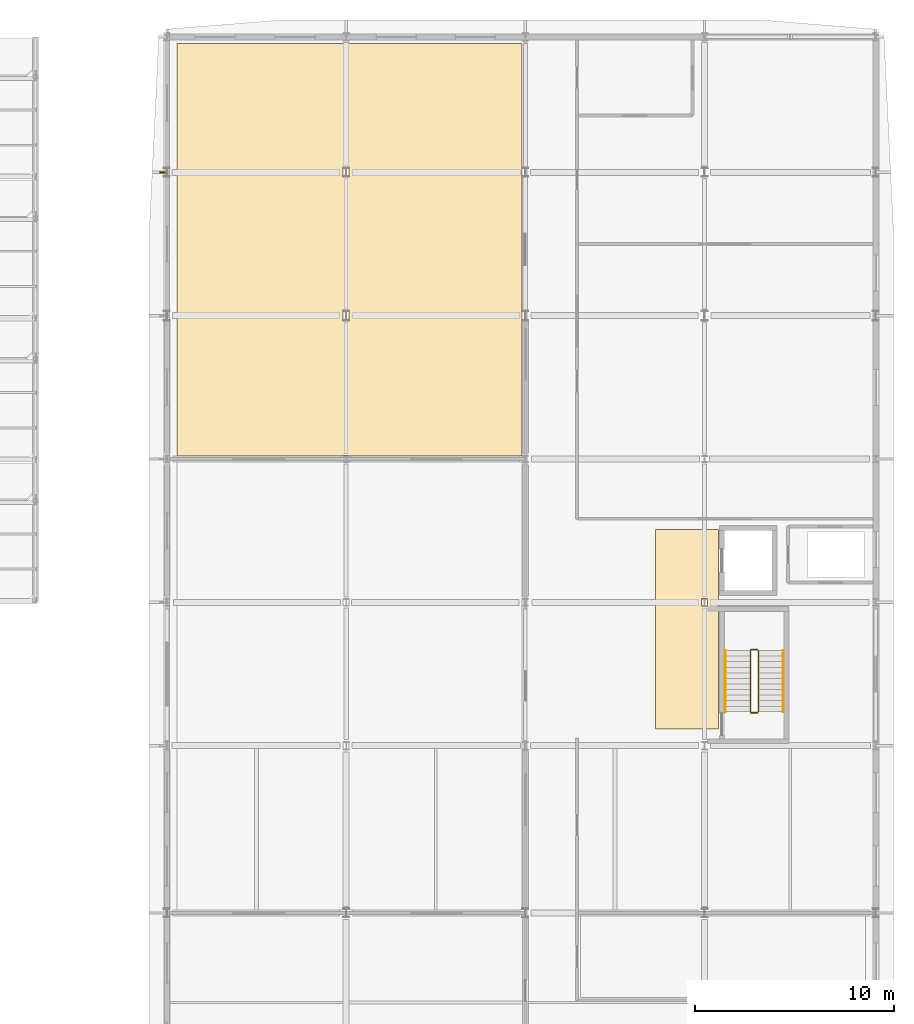
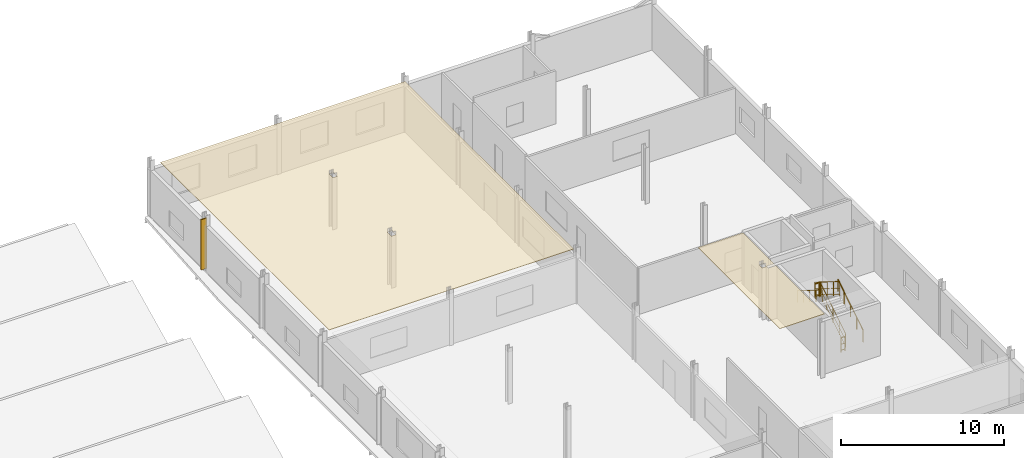
# One storey, part 138 of 138: 6 railings, 2 coverings, 1 shading device.
"""IFC4 building model written with IfcOpenShell, lengths in metres."""

from ifc_helpers import new_model, si_unit, direction, frame, origin, origin_2d, place, context, subcontext, project, spatial, polyline, rectangle, circle, outline, extrude, material, layer, layer_set, type_object, element, save


model = new_model("IFC4")

# Units and contexts
model_context = context("Model", 3, precision=1e-05, world=origin(), true_north=direction((0.0, 1.0)))
body_context = subcontext(model_context, "Body", "Model", "MODEL_VIEW")
ifc_project = project(units=[si_unit("LENGTHUNIT", "METRE"), si_unit("AREAUNIT", "SQUARE_METRE"), si_unit("VOLUMEUNIT", "CUBIC_METRE"), si_unit("PLANEANGLEUNIT", "RADIAN"), si_unit("MASSUNIT", "GRAM", prefix="KILO")], contexts=[model_context])

# Site, building, storey
site_placement = place(None, origin())
site = spatial("IfcSite", under=ifc_project, at=site_placement, CompositionType="ELEMENT")
building_placement = place(site_placement, origin())
building = spatial("IfcBuilding", under=site, at=building_placement, Name="Vinh Khe Railworks Police Headquarters", CompositionType="ELEMENT")
storey_placement = place(building_placement, frame((0.0, 0.0, 9.0)))
storey = spatial("IfcBuildingStorey", under=building, at=storey_placement, Name="L02", CompositionType="ELEMENT", Elevation=9.0)

# Coverings
ifc_material_1 = material(Name="Mineral fibre acoustic ceiling tile")
ifc_layer = layer(ifc_material_1, 0.034912109375)
ifc_layer_set = layer_set([ifc_layer], Name="Mineral fibre acoustic ceiling tile")
covering_type = type_object("IfcCoveringType", Name="COV-CEIL-ACOUSTIC", PredefinedType="CEILING", material=ifc_layer_set)
covering_1_placement = place(storey_placement, frame((0.0, 0.0, 3.89501953125)))
element("IfcCovering", 1, at=covering_1_placement, inside=storey, type_object=covering_type, Name="Acoustic Ceiling Protected Forensic Stair Lobby C3", PredefinedType="CEILING", context=body_context, shape_type="SweptSolid", body=[
    extrude(outline(polyline([(105.7099609375, 141.659912109375), (102.5400390625, 141.659912109375), (102.5400390625, 131.639892578125), (105.7099609375, 131.639892578125), (105.7099609375, 141.659912109375)]), holes=[polyline([(105.155029296875, 137.81494140625), (104.844970703125, 137.81494140625), (104.844970703125, 138.18505859375), (105.155029296875, 138.18505859375), (105.155029296875, 137.81494140625)])]), origin(), (0.0, 0.0, 1.0), 0.034912109375),
])
covering_2_placement = place(storey_placement, frame((0.0, 0.0, 3.89501953125)))
element("IfcCovering", 2, at=covering_2_placement, inside=storey, type_object=covering_type, Name="Acoustic Ceiling Major Incident Briefing Room", PredefinedType="CEILING", context=body_context, shape_type="SweptSolid", body=[
    extrude(outline(polyline([(95.840087890625, 145.360107421875), (95.840087890625, 166.080078125), (78.510009765625, 166.080078125), (78.510009765625, 145.360107421875), (86.844970703125, 145.360107421875), (86.844970703125, 145.375), (87.155029296875, 145.375), (87.155029296875, 145.360107421875), (95.840087890625, 145.360107421875)]), holes=[polyline([(87.155029296875, 152.14501953125), (86.844970703125, 152.14501953125), (86.844970703125, 152.655029296875), (87.155029296875, 152.655029296875), (87.155029296875, 152.14501953125)]), polyline([(87.155029296875, 159.3701171875), (86.844970703125, 159.3701171875), (86.844970703125, 159.830078125), (87.155029296875, 159.830078125), (87.155029296875, 159.3701171875)])]), origin(), (0.0, 0.0, 1.0), 0.034912109375),
])

# Railings
ifc_material_2 = material(Name="Painted tubular steel", Category="steel")
railing_type_1 = type_object("IfcRailingType", Name="RL-GUARD-1100", PredefinedType="GUARDRAIL", material=ifc_material_2)
railing_1_placement = place(storey_placement, frame((107.699951171875, 132.5, 0.175048828125)))
element("IfcRailing", 3, at=railing_1_placement, inside=storey, type_object=railing_type_1, Name="L02 ST-03 stair guard 1", PredefinedType="GUARDRAIL", context=body_context, shape_type="SweptSolid", body=[
    extrude(circle(Radius=0.02392578125, at=origin_2d()), frame((0.0, 0.0, 1.076171875), z_axis=(0.0, 0.847998304005, 0.529998940003), x_axis=(-1.0, 0.0, 0.0)), (0.0, 0.0, 1.0), 3.632080078125),
    extrude(circle(Radius=0.01416015625, at=origin_2d()), frame((0.0, 0.0, 0.132080078125), z_axis=(0.0, 0.847998304005, 0.529998940003), x_axis=(-1.0, 0.0, 0.0)), (0.0, 0.0, 1.0), 3.632080078125),
    extrude(circle(Radius=0.01416015625, at=origin_2d()), frame((0.0, 0.0, 0.572021484375), z_axis=(0.0, 0.847998304005, 0.529998940003), x_axis=(-1.0, 0.0, 0.0)), (0.0, 0.0, 1.0), 3.632080078125),
    extrude(circle(Radius=0.02099609375, at=origin_2d()), origin(), (0.0, 0.0, 1.0), 1.052001953125),
    extrude(circle(Radius=0.02099609375, at=origin_2d()), frame((0.0, 0.77001953125, 0.481201171875)), (0.0, 0.0, 1.0), 1.052001953125),
    extrude(circle(Radius=0.02099609375, at=origin_2d()), frame((0.0, 1.5400390625, 0.96240234375)), (0.0, 0.0, 1.0), 1.052001953125),
    extrude(circle(Radius=0.02099609375, at=origin_2d()), frame((0.0, 2.31005859375, 1.44384765625)), (0.0, 0.0, 1.0), 1.052001953125),
    extrude(circle(Radius=0.02099609375, at=origin_2d()), frame((0.0, 3.080078125, 1.925048828125)), (0.0, 0.0, 1.0), 1.052001953125),
])
railing_2_placement = place(storey_placement, frame((107.64990234375, 135.6298828125, 2.10009765625)))
element("IfcRailing", 4, at=railing_2_placement, inside=storey, type_object=railing_type_1, Name="L02 ST-03 stair guard 2", PredefinedType="GUARDRAIL", context=body_context, shape_type="SweptSolid", body=[
    extrude(circle(Radius=0.02392578125, at=origin_2d()), frame((0.0, 0.0, 1.076171875), z_axis=(-1.0, 0.0, 0.0), x_axis=(0.0, -1.0, 0.0)), (0.0, 0.0, 1.0), 0.2998046875),
    extrude(circle(Radius=0.01416015625, at=origin_2d()), frame((0.0, 0.0, 0.132080078125), z_axis=(-1.0, 0.0, 0.0), x_axis=(0.0, -1.0, 0.0)), (0.0, 0.0, 1.0), 0.2998046875),
    extrude(circle(Radius=0.01416015625, at=origin_2d()), frame((0.0, 0.0, 0.572021484375), z_axis=(-1.0, 0.0, 0.0), x_axis=(0.0, -1.0, 0.0)), (0.0, 0.0, 1.0), 0.2998046875),
    extrude(circle(Radius=0.02099609375, at=origin_2d()), origin(), (0.0, 0.0, 1.0), 1.052001953125),
    extrude(circle(Radius=0.02099609375, at=origin_2d()), frame((-0.2998046875, 0.0, 0.0)), (0.0, 0.0, 1.0), 1.052001953125),
])
railing_3_placement = place(storey_placement, frame((107.300048828125, 135.580078125, 2.27490234375)))
element("IfcRailing", 5, at=railing_3_placement, inside=storey, type_object=railing_type_1, Name="L02 ST-03 stair guard 3", PredefinedType="GUARDRAIL", context=body_context, shape_type="SweptSolid", body=[
    extrude(circle(Radius=0.02392578125, at=origin_2d()), frame((0.0, 0.0, 1.076171875), z_axis=(0.0, -0.847998304005, 0.529998940003), x_axis=(1.0, 0.0, 0.0)), (0.0, 0.0, 1.0), 3.632080078125),
    extrude(circle(Radius=0.01416015625, at=origin_2d()), frame((0.0, 0.0, 0.132080078125), z_axis=(0.0, -0.847998304005, 0.529998940003), x_axis=(1.0, 0.0, 0.0)), (0.0, 0.0, 1.0), 3.632080078125),
    extrude(circle(Radius=0.01416015625, at=origin_2d()), frame((0.0, 0.0, 0.572021484375), z_axis=(0.0, -0.847998304005, 0.529998940003), x_axis=(1.0, 0.0, 0.0)), (0.0, 0.0, 1.0), 3.632080078125),
    extrude(circle(Radius=0.02099609375, at=origin_2d()), origin(), (0.0, 0.0, 1.0), 1.052001953125),
    extrude(circle(Radius=0.02099609375, at=origin_2d()), frame((0.0, -0.77001953125, 0.481201171875)), (0.0, 0.0, 1.0), 1.052001953125),
    extrude(circle(Radius=0.02099609375, at=origin_2d()), frame((0.0, -1.5400390625, 0.96240234375)), (0.0, 0.0, 1.0), 1.052001953125),
    extrude(circle(Radius=0.02099609375, at=origin_2d()), frame((0.0, -2.31005859375, 1.44384765625)), (0.0, 0.0, 1.0), 1.052001953125),
    extrude(circle(Radius=0.02099609375, at=origin_2d()), frame((0.0, -3.080078125, 1.925048828125)), (0.0, 0.0, 1.0), 1.052001953125),
])
railing_4_placement = place(storey_placement, frame((107.64990234375, 132.449951171875, 0.0)))
element("IfcRailing", 6, at=railing_4_placement, inside=storey, type_object=railing_type_1, Name="L02 ST-03 stair guard 4", PredefinedType="GUARDRAIL", context=body_context, shape_type="SweptSolid", body=[
    extrude(circle(Radius=0.02392578125, at=origin_2d()), frame((0.0, 0.0, 1.076171875), z_axis=(-1.0, 0.0, 0.0), x_axis=(0.0, -1.0, 0.0)), (0.0, 0.0, 1.0), 0.2998046875),
    extrude(circle(Radius=0.01416015625, at=origin_2d()), frame((0.0, 0.0, 0.132080078125), z_axis=(-1.0, 0.0, 0.0), x_axis=(0.0, -1.0, 0.0)), (0.0, 0.0, 1.0), 0.2998046875),
    extrude(circle(Radius=0.01416015625, at=origin_2d()), frame((0.0, 0.0, 0.572021484375), z_axis=(-1.0, 0.0, 0.0), x_axis=(0.0, -1.0, 0.0)), (0.0, 0.0, 1.0), 0.2998046875),
    extrude(circle(Radius=0.02099609375, at=origin_2d()), origin(), (0.0, 0.0, 1.0), 1.052001953125),
    extrude(circle(Radius=0.02099609375, at=origin_2d()), frame((-0.2998046875, 0.0, 0.0)), (0.0, 0.0, 1.0), 1.052001953125),
])
ifc_material_3 = material(Name="Brushed stainless steel", Category="steel")
railing_type_2 = type_object("IfcRailingType", Name="RL-HAND-900", PredefinedType="HANDRAIL", material=ifc_material_3)
railing_5_placement = place(storey_placement, frame((108.949951171875, 132.5, 0.175048828125)))
element("IfcRailing", 7, at=railing_5_placement, inside=storey, type_object=railing_type_2, Name="L02 ST-03 stair handrail 1", PredefinedType="HANDRAIL", context=body_context, shape_type="SweptSolid", body=[
    extrude(circle(Radius=0.02392578125, at=origin_2d()), frame((0.0, 0.0, 0.8759765625), z_axis=(0.0, 0.847998304005, 0.529998940003), x_axis=(-1.0, 0.0, 0.0)), (0.0, 0.0, 1.0), 3.632080078125),
    extrude(circle(Radius=0.02099609375, at=origin_2d()), origin(), (0.0, 0.0, 1.0), 0.851806640625),
    extrude(circle(Radius=0.02099609375, at=origin_2d()), frame((0.0, 0.77001953125, 0.481201171875)), (0.0, 0.0, 1.0), 0.851806640625),
    extrude(circle(Radius=0.02099609375, at=origin_2d()), frame((0.0, 1.5400390625, 0.96240234375)), (0.0, 0.0, 1.0), 0.851806640625),
    extrude(circle(Radius=0.02099609375, at=origin_2d()), frame((0.0, 2.31005859375, 1.44384765625)), (0.0, 0.0, 1.0), 0.851806640625),
    extrude(circle(Radius=0.02099609375, at=origin_2d()), frame((0.0, 3.080078125, 1.925048828125)), (0.0, 0.0, 1.0), 0.851806640625),
])
railing_6_placement = place(storey_placement, frame((106.050048828125, 135.580078125, 2.27490234375)))
element("IfcRailing", 8, at=railing_6_placement, inside=storey, type_object=railing_type_2, Name="L02 ST-03 stair handrail 2", PredefinedType="HANDRAIL", context=body_context, shape_type="SweptSolid", body=[
    extrude(circle(Radius=0.02392578125, at=origin_2d()), frame((0.0, 0.0, 0.8759765625), z_axis=(0.0, -0.847998304005, 0.529998940003), x_axis=(1.0, 0.0, 0.0)), (0.0, 0.0, 1.0), 3.632080078125),
    extrude(circle(Radius=0.02099609375, at=origin_2d()), origin(), (0.0, 0.0, 1.0), 0.851806640625),
    extrude(circle(Radius=0.02099609375, at=origin_2d()), frame((0.0, -0.77001953125, 0.481201171875)), (0.0, 0.0, 1.0), 0.851806640625),
    extrude(circle(Radius=0.02099609375, at=origin_2d()), frame((0.0, -1.5400390625, 0.96240234375)), (0.0, 0.0, 1.0), 0.851806640625),
    extrude(circle(Radius=0.02099609375, at=origin_2d()), frame((0.0, -2.31005859375, 1.44384765625)), (0.0, 0.0, 1.0), 0.851806640625),
    extrude(circle(Radius=0.02099609375, at=origin_2d()), frame((0.0, -3.080078125, 1.925048828125)), (0.0, 0.0, 1.0), 0.851806640625),
])

# Shading device
ifc_material_4 = material(Name="Salvaged ironwood timber", Category="wood")
shading_device_type = type_object("IfcShadingDeviceType", Name="SHD-MSF-01", PredefinedType="JALOUSIE", material=ifc_material_4)
shading_device_placement = place(storey_placement, frame((77.840087890625, 159.60009765625, 0.10009765625), z_axis=(0.0, 0.0, 1.0), x_axis=(1.0, 0.0, 0.0)))
element("IfcShadingDevice", 9, at=shading_device_placement, inside=storey, type_object=shading_device_type, Name="Monsoon Court Solar Fin V6 L02-5", PredefinedType="JALOUSIE", context=body_context, shape_type="SweptSolid", body=[
    extrude(rectangle(XDim=0.419921875, YDim=0.080078125, at=origin_2d()), origin(), (0.0, 0.0, 1.0), 3.780029296875),
])

save(model, "model.ifc")
